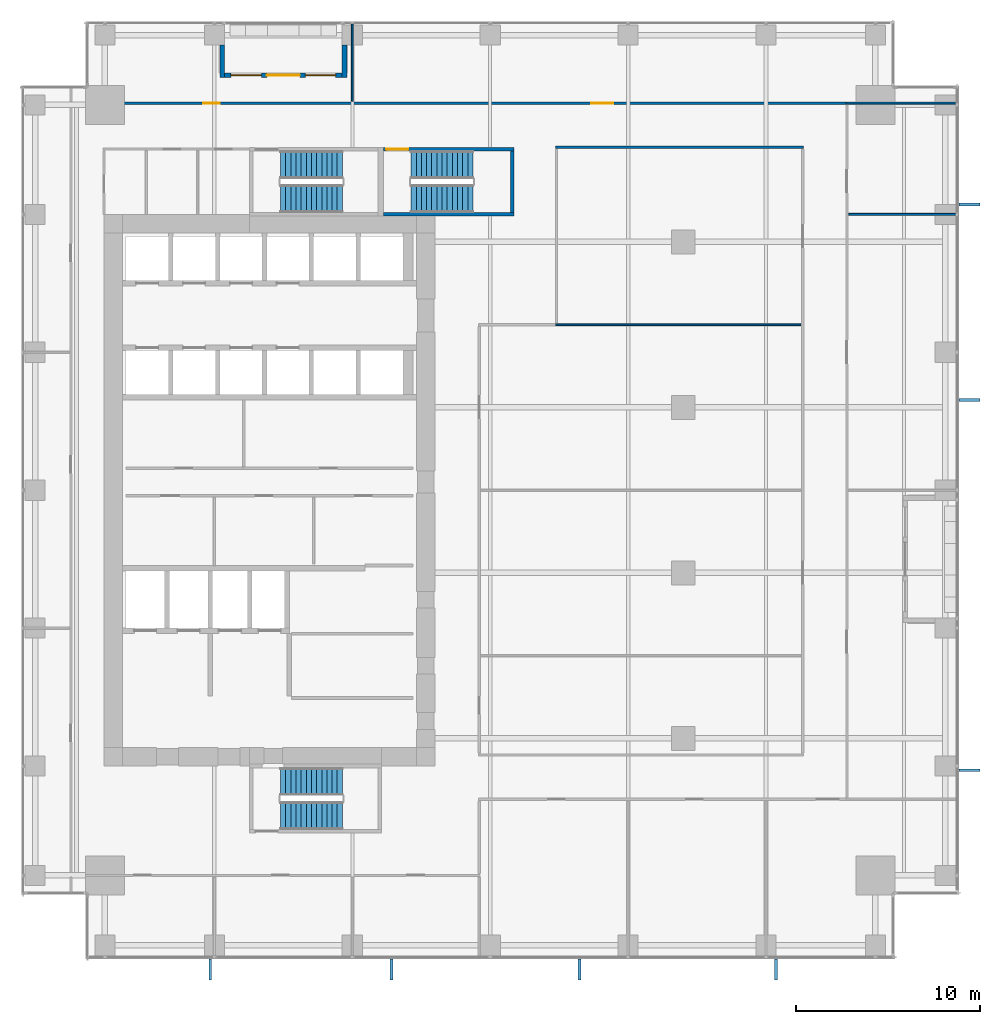
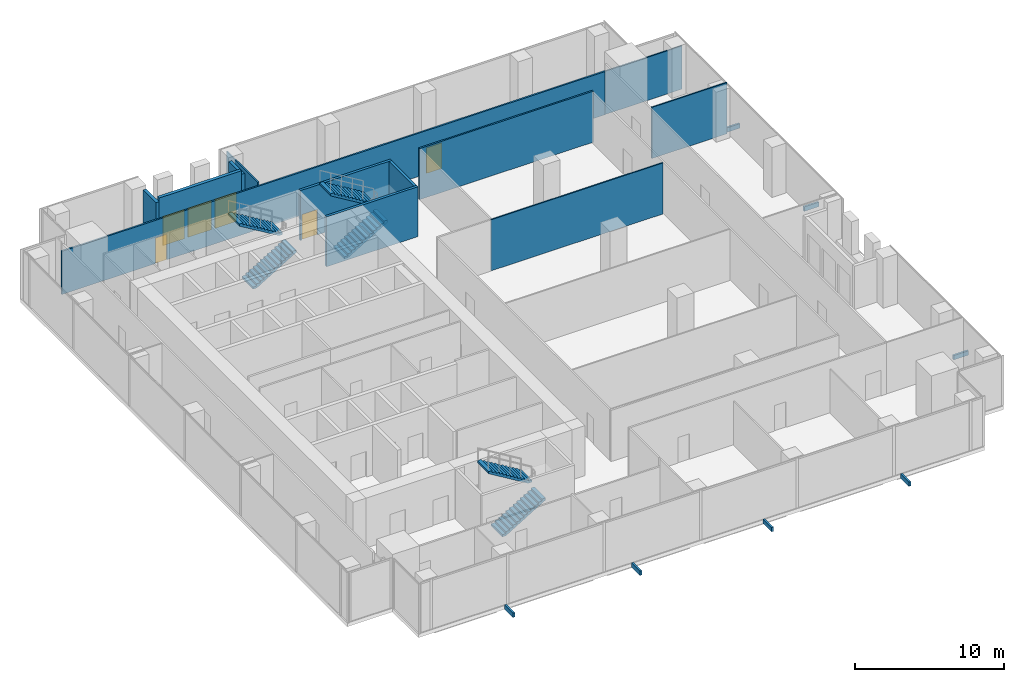
# One storey, part 31 of 34: 12 walls, 7 discrete accessories, 6 stair flights, 4 doors, 2 windows, 6 openings, 3 elements without a shape of their own.
"""IFC4 building model written with IfcOpenShell, lengths in metres."""

import ifcopenshell
import ifcopenshell.guid

model = None  # the IFC model being written
_history = None  # IfcOwnerHistory: only IFC2X3 demands one
_inside = {}  # id of a spatial element -> (the spatial element, [elements in it])
_under = {}  # id of a project, library or spatial element -> (it, [spatial elements below it])
_declared = {}  # id of a project -> (the project, [libraries it declares])
_typed = {}  # id of a type object -> (the type object, [elements of that type])
_made_of = {}  # id of a material, layer set ... -> (it, [elements and type objects made of it])


def new_model(schema):
    """Start an empty IFC model of exactly this schema.

    Asked for "IFC4X3", IfcOpenShell would pick the latest addendum, in which some entities
    have other attributes; the version numbers below select the first issue.
    IFC2X3 requires an IfcOwnerHistory on every rooted entity: one is made here for all.
    """
    global model, _history
    if schema == "IFC4X3":
        model = ifcopenshell.file(schema_version=(4, 3, 0, 0))
    else:
        model = ifcopenshell.file(schema=schema)
    _inside.clear()
    _under.clear()
    _declared.clear()
    _typed.clear()
    _made_of.clear()
    _history = None
    if model.schema == "IFC2X3":
        org = make("IfcOrganization", Name="unknown")
        user = make(
            "IfcPersonAndOrganization",
            ThePerson=make("IfcPerson", FamilyName="unknown"),
            TheOrganization=org,
        )
        app = make(
            "IfcApplication",
            ApplicationDeveloper=org,
            Version="unknown",
            ApplicationFullName="unknown",
            ApplicationIdentifier="unknown",
        )
        _history = make(
            "IfcOwnerHistory",
            OwningUser=user,
            OwningApplication=app,
            ChangeAction="ADDED",
            CreationDate=0,
        )
    return model


def make(cls, **values):
    """One entity of the class cls with the attributes given. An attribute that is None is left unset."""
    return model.create_entity(
        cls, **{name: value for name, value in values.items() if value is not None}
    )


def rooted(cls, **values):
    """An entity with a GlobalId (a new one), such as an element, a storey or a relation."""
    return make(cls, GlobalId=ifcopenshell.guid.new(), OwnerHistory=_history, **values)


def si_unit(unit_type, name, prefix=None):
    """IfcSIUnit, for example si_unit("LENGTHUNIT", "METRE", prefix="MILLI")."""
    return make("IfcSIUnit", UnitType=unit_type, Prefix=prefix, Name=name)


def assignment(units):
    """IfcUnitAssignment: the units of a project."""
    return None if units is None else make("IfcUnitAssignment", Units=units)


def point(xyz):
    """IfcCartesianPoint."""
    return None if xyz is None else make("IfcCartesianPoint", Coordinates=xyz)


def direction(xyz):
    """IfcDirection."""
    return None if xyz is None else make("IfcDirection", DirectionRatios=xyz)


def frame(location, z_axis=None, x_axis=None):
    """IfcAxis2Placement3D, a coordinate frame: its origin and axes. An axis left out is left unset."""
    return make(
        "IfcAxis2Placement3D",
        Location=point(location),
        Axis=direction(z_axis),
        RefDirection=direction(x_axis),
    )


def frame_2d(location, x_axis=None):
    """IfcAxis2Placement2D, a coordinate frame in the plane: its origin and x axis."""
    return make(
        "IfcAxis2Placement2D", Location=point(location), RefDirection=direction(x_axis)
    )


def origin():
    """The frame at (0, 0, 0) with its axes left unset."""
    return frame((0.0, 0.0, 0.0))


def origin_2d():
    """The frame at (0, 0) in the plane with its x axis left unset."""
    return frame_2d((0.0, 0.0))


def place(relative_to, where):
    """IfcLocalPlacement: puts the frame where relative to a parent placement (None: the world)."""
    return make(
        "IfcLocalPlacement", PlacementRelTo=relative_to, RelativePlacement=where
    )


def context(
    kind, dimensions, precision=None, world=None, true_north=None, identifier=None
):
    """IfcGeometricRepresentationContext, for example the 3D "Model" context."""
    return make(
        "IfcGeometricRepresentationContext",
        ContextIdentifier=identifier,
        ContextType=kind,
        CoordinateSpaceDimension=dimensions,
        Precision=precision,
        WorldCoordinateSystem=world,
        TrueNorth=true_north,
    )


def subcontext(parent, identifier, kind, view, scale=None):
    """IfcGeometricRepresentationSubContext, for example "Body" below "Model"."""
    return make(
        "IfcGeometricRepresentationSubContext",
        ContextIdentifier=identifier,
        ContextType=kind,
        ParentContext=parent,
        TargetScale=scale,
        TargetView=view,
    )


def project(units=None, contexts=None):
    """IfcProject with its units and contexts."""
    return rooted(
        "IfcProject",
        Name="project",
        RepresentationContexts=contexts,
        UnitsInContext=assignment(units),
    )


def spatial(cls, under=None, at=None, **own):
    """A site, building, storey or space (cls), placed at a placement, below another one or the project."""
    s = rooted(cls, ObjectPlacement=at, **own)
    if under is not None:
        _under.setdefault(under.id(), (under, []))[1].append(s)
    return s


def polyline(points):
    """IfcPolyline through the points."""
    return make("IfcPolyline", Points=[point(p) for p in points])


def profile(cls, at=None, kind="AREA", **sizes):
    """A parametric profile (cls). Its sizes go by their IFC names, for example OverallWidth=200.0."""
    return make(cls, ProfileType=kind, Position=at, **sizes)


def rectangle(**sizes):
    """IfcRectangleProfileDef."""
    return profile("IfcRectangleProfileDef", **sizes)


def outline(outer, holes=None, kind="AREA"):
    """IfcArbitraryClosedProfileDef: a profile drawn as a closed curve; with holes, ...WithVoids."""
    if holes is None:
        return make("IfcArbitraryClosedProfileDef", ProfileType=kind, OuterCurve=outer)
    return make(
        "IfcArbitraryProfileDefWithVoids",
        ProfileType=kind,
        OuterCurve=outer,
        InnerCurves=holes,
    )


def extrude(swept, where, along, depth):
    """IfcExtrudedAreaSolid: the profile swept, set in the frame where, extruded along a direction by depth."""
    return make(
        "IfcExtrudedAreaSolid",
        SweptArea=swept,
        Position=where,
        ExtrudedDirection=direction(along),
        Depth=depth,
    )


def shape(context_of_items, identifier, shape_type, items):
    """IfcShapeRepresentation: the items that make up one representation, for example the "Body"."""
    return make(
        "IfcShapeRepresentation",
        ContextOfItems=context_of_items,
        RepresentationIdentifier=identifier,
        RepresentationType=shape_type,
        Items=items,
    )


def source(mapping_origin, context_of_items, identifier, shape_type, items):
    """IfcRepresentationMap: a shape defined once, which mapped items show again and again."""
    return make(
        "IfcRepresentationMap",
        MappingOrigin=mapping_origin,
        MappedRepresentation=shape(context_of_items, identifier, shape_type, items),
    )


def transform(
    local_origin,
    x_axis=None,
    y_axis=None,
    z_axis=None,
    scale=None,
    scale2=None,
    scale3=None,
    uniform=True,
):
    """IfcCartesianTransformationOperator3D, or its non-uniform kind. x_axis, y_axis, z_axis: its Axis1, 2, 3."""
    if uniform:
        return make(
            "IfcCartesianTransformationOperator3D",
            Axis1=direction(x_axis),
            Axis2=direction(y_axis),
            LocalOrigin=point(local_origin),
            Scale=scale,
            Axis3=direction(z_axis),
        )
    return make(
        "IfcCartesianTransformationOperator3DnonUniform",
        Axis1=direction(x_axis),
        Axis2=direction(y_axis),
        LocalOrigin=point(local_origin),
        Scale=scale,
        Axis3=direction(z_axis),
        Scale2=scale2,
        Scale3=scale3,
    )


def mapped(mapping_source, mapping_target):
    """IfcMappedItem: shows the shape of a source again, moved by a transform."""
    return make(
        "IfcMappedItem", MappingSource=mapping_source, MappingTarget=mapping_target
    )


def material(Name=None, Category=None):
    """IfcMaterial."""
    return make("IfcMaterial", Name=Name, Category=Category)


def layer(
    of_material, thickness, ventilated=None, Name=None, Category=None, Priority=None
):
    """IfcMaterialLayer: one layer of a wall or slab, of a material (None: an air gap)."""
    return make(
        "IfcMaterialLayer",
        Material=of_material,
        LayerThickness=thickness,
        IsVentilated=ventilated,
        Name=Name,
        Category=Category,
        Priority=Priority,
    )


def layer_set(layers, Name=None):
    """IfcMaterialLayerSet."""
    return make("IfcMaterialLayerSet", MaterialLayers=layers, LayerSetName=Name)


def made_of(thing, what):
    """Note that an element or type object is made of a material, layer set ...; save() writes the relation."""
    if what is not None:
        _made_of.setdefault(what.id(), (what, []))[1].append(thing)
    return thing


def type_object(cls, material=None, **own):
    """A type object (cls), such as IfcWallType, which elements share."""
    return made_of(rooted(cls, **own), material)


def element(
    cls,
    number,
    at=None,
    inside=None,
    cuts=None,
    type_object=None,
    material=None,
    context=None,
    identifier="Body",
    shape_type=None,
    held_by="IfcProductDefinitionShape",
    body=None,
    shapes=None,
    **own,
):
    """One element of the class cls, such as IfcWall. Its Tag is "e" and its number.

    at: its placement. inside: the storey or other place that contains it. cuts: it is an
    opening in that element (IfcRelVoidsElement). A single representation is given by context,
    identifier, shape_type and body (its items); several are given by shapes. held_by: the class
    of the entity that holds the representations. save() writes the other relations.
    """
    e = rooted(cls, Tag="e%d" % number, ObjectPlacement=at, **own)
    if body is not None:
        shapes = [shape(context, identifier, shape_type, body)]
    if shapes is not None:
        e.Representation = make(held_by, Representations=shapes)
    if inside is not None:
        _inside.setdefault(inside.id(), (inside, []))[1].append(e)
    if cuts is not None:
        rooted(
            "IfcRelVoidsElement", RelatingBuildingElement=cuts, RelatedOpeningElement=e
        )
    if type_object is not None:
        _typed.setdefault(type_object.id(), (type_object, []))[1].append(e)
    return made_of(e, material)


def fill(opening, filler):
    """IfcRelFillsElement: the door or window that sits in an opening."""
    return rooted(
        "IfcRelFillsElement",
        RelatingOpeningElement=opening,
        RelatedBuildingElement=filler,
    )


def aggregate(whole, parts):
    """IfcRelAggregates: a whole, such as a stair, and the parts it consists of."""
    return rooted("IfcRelAggregates", RelatingObject=whole, RelatedObjects=parts)


def save(model, path):
    """Write the relations noted so far, then the file.

    IfcRelAggregates (storeys below a building ...), IfcRelContainedInSpatialStructure (elements
    in a storey), IfcRelDefinesByType, IfcRelAssociatesMaterial and IfcRelDeclares: one each for
    every whole, place, type object, material and project.
    """
    for whole, parts in _under.values():
        aggregate(whole, parts)
    for where, things in _inside.values():
        rooted(
            "IfcRelContainedInSpatialStructure",
            RelatedElements=things,
            RelatingStructure=where,
        )
    for kind, things in _typed.values():
        rooted("IfcRelDefinesByType", RelatedObjects=things, RelatingType=kind)
    for what, things in _made_of.values():
        rooted("IfcRelAssociatesMaterial", RelatedObjects=things, RelatingMaterial=what)
    for by, libraries in _declared.values():
        rooted("IfcRelDeclares", RelatingContext=by, RelatedDefinitions=libraries)
    model.write(path)


model = new_model("IFC4")

# Units and contexts
model_context = context("Model", 3, precision=1e-05, world=origin(), true_north=direction((0.0, 1.0)))
body_context = subcontext(model_context, "Body", "Model", "MODEL_VIEW")
ifc_project = project(units=[si_unit("LENGTHUNIT", "METRE"), si_unit("AREAUNIT", "SQUARE_METRE"), si_unit("VOLUMEUNIT", "CUBIC_METRE"), si_unit("PLANEANGLEUNIT", "RADIAN"), si_unit("MASSUNIT", "GRAM", prefix="KILO")], contexts=[model_context])

# Site, building, storey
site_placement = place(None, origin())
site = spatial("IfcSite", under=ifc_project, at=site_placement, CompositionType="ELEMENT")
building_placement = place(site_placement, origin())
building = spatial("IfcBuilding", under=site, at=building_placement, Name="Khomas Fold Tower", CompositionType="ELEMENT")
storey_placement = place(building_placement, frame((0.0, 0.0, 105.89990234375)))
storey = spatial("IfcBuildingStorey", under=building, at=storey_placement, Name="L22", CompositionType="ELEMENT", Elevation=105.89990234375)

# Wall, opening, door
ifc_material_1 = material(Name="Concrete C50/60", Category="concrete")
ifc_layer_1 = layer(ifc_material_1, 0.199951171875)
ifc_layer_set_1 = layer_set([ifc_layer_1], Name="Concrete C50/60")
wall_type_1 = type_object("IfcWallType", Name="Stair wall 200", PredefinedType="SHEAR", material=ifc_layer_set_1)
shared_shape_1 = source(origin(), body_context, "Body", "SweptSolid", [
    extrude(rectangle(XDim=7.10009765625, YDim=0.199951171875, at=frame_2d((3.550048828125, 0.0))), origin(), (0.0, 0.0, 1.0), 4.10009765625),
])
wall_1_placement = place(storey_placement, frame((21.199951171875, 45.550048828125, 0.0), z_axis=(0.0, 0.0, 1.0), x_axis=(1.0, 0.0, 0.0)))
wall_1 = element("IfcWall", 1, at=wall_1_placement, inside=storey, type_object=wall_type_1, Name="Stair wall SW-ST3-N", PredefinedType="SHEAR", context=body_context, shape_type="MappedRepresentation", body=[
    mapped(shared_shape_1, transform((0.0, 0.0, 0.0))),
])
shared_shape_2 = source(origin(), body_context, "Body", "SweptSolid", [
    extrude(rectangle(XDim=1.199951171875, YDim=2.10009765625, at=frame_2d((0.60009765625, 1.050048828125))), frame((0.0, 0.10986328125, 0.0), z_axis=(0.0, -1.0, 0.0), x_axis=(1.0, 0.0, 0.0)), (0.0, 0.0, 1.0), 0.219970703125),
])
opening_1_placement = place(wall_1_placement, frame((0.14990234375, 0.0, 0.0)))
opening_1 = element("IfcOpeningElement", 2, at=opening_1_placement, cuts=wall_1, Name="Opening SD-ST3", PredefinedType="OPENING", context=body_context, shape_type="MappedRepresentation", body=[
    mapped(shared_shape_2, transform((0.0, 0.0, 0.0))),
])
ifc_material_2 = material(Name="Steel door leaf", Category="steel")
door_type_1 = type_object("IfcDoorType", Name="Stair door 1200x2100 left-hand", OperationType="SINGLE_SWING_LEFT", PredefinedType="DOOR", material=ifc_material_2)
shared_shape_3 = source(origin(), body_context, "Body", "SweptSolid", [
    extrude(rectangle(XDim=1.199951171875, YDim=2.10009765625, at=frame_2d((0.60009765625, 1.050048828125))), frame((0.0, 0.02490234375, 0.0), z_axis=(0.0, -1.0, 0.0), x_axis=(1.0, 0.0, 0.0)), (0.0, 0.0, 1.0), 0.050048828125),
])
door_1_placement = place(opening_1_placement, origin())
door_1 = element("IfcDoor", 3, at=door_1_placement, inside=storey, type_object=door_type_1, Name="Stair door", OperationType="SINGLE_SWING_LEFT", OverallHeight=2.10009765625, OverallWidth=1.199951171875, PredefinedType="DOOR", context=body_context, shape_type="MappedRepresentation", body=[
    mapped(shared_shape_3, transform((0.0, 0.0, 0.0))),
])
fill(opening_1, door_1)

# Walls
wall_2_placement = place(storey_placement, frame((21.199951171875, 42.0, 0.0), z_axis=(0.0, 0.0, 1.0), x_axis=(1.0, 0.0, 0.0)))
element("IfcWall", 4, at=wall_2_placement, inside=storey, type_object=wall_type_1, Name="Stair wall SW-ST3-S", PredefinedType="SHEAR", context=body_context, shape_type="MappedRepresentation", body=[
    mapped(shared_shape_1, transform((0.0, 0.0, 0.0))),
])
shared_shape_4 = source(origin(), body_context, "Body", "SweptSolid", [
    extrude(rectangle(XDim=3.349853515625, YDim=0.199951171875, at=frame_2d((1.6748046875, 0.0))), origin(), (0.0, 0.0, 1.0), 4.10009765625),
])
wall_3_placement = place(storey_placement, frame((28.199951171875, 42.10009765625, 0.0), z_axis=(0.0, 0.0, 1.0), x_axis=(0.0, 1.0, 0.0)))
element("IfcWall", 5, at=wall_3_placement, inside=storey, type_object=wall_type_1, Name="Stair wall SW-ST3-E", PredefinedType="SHEAR", context=body_context, shape_type="MappedRepresentation", body=[
    mapped(shared_shape_4, transform((0.0, 0.0, 0.0))),
])

# Wall, openings, door, windows
ifc_material_3 = material(Name="Natural stone", Category="masonry")
ifc_layer_2 = layer(ifc_material_3, 0.0400390625)
ifc_material_4 = material(Name="Mineral wool insulation", Category="insulation")
ifc_layer_3 = layer(ifc_material_4, 0.10009765625)
ifc_material_5 = material(Name="Masonry", Category="masonry")
ifc_layer_4 = layer(ifc_material_5, 0.110107421875)
ifc_layer_set_2 = layer_set([ifc_layer_2, ifc_layer_3, ifc_layer_4], Name="Stone-faced insulated masonry")
wall_type_2 = type_object("IfcWallType", Name="BL-Balcony wall", PredefinedType="SOLIDWALL", material=ifc_layer_set_2)
shared_shape_5 = source(origin(), body_context, "Body", "SweptSolid", [
    extrude(rectangle(XDim=6.39990234375, YDim=0.25, at=frame_2d((3.199951171875, 0.0))), origin(), (0.0, 0.0, 1.0), 4.10009765625),
])
wall_4_placement = place(storey_placement, frame((12.550048828125, 49.574951171875, 0.0), z_axis=(0.0, 0.0, 1.0), x_axis=(1.0, 0.0, 0.0)))
wall_4 = element("IfcWall", 6, at=wall_4_placement, inside=storey, type_object=wall_type_2, Name="Balcony wall BAL-L22-N1", PredefinedType="SOLIDWALL", context=body_context, shape_type="MappedRepresentation", body=[
    mapped(shared_shape_5, transform((0.0, 0.0, 0.0))),
])
shared_shape_6 = source(origin(), body_context, "Body", "SweptSolid", [
    extrude(rectangle(XDim=1.64990234375, YDim=2.39990234375, at=frame_2d((0.824951171875, 1.199951171875))), frame((0.0, 0.135009765625, 0.0), z_axis=(0.0, -1.0, 0.0), x_axis=(1.0, 0.0, 0.0)), (0.0, 0.0, 1.0), 0.27001953125),
])
opening_2_placement = place(wall_4_placement, frame((0.35009765625, 0.0, 0.0)))
opening_2 = element("IfcOpeningElement", 7, at=opening_2_placement, cuts=wall_4, Name="Opening BL-W2", PredefinedType="OPENING", context=body_context, shape_type="MappedRepresentation", body=[
    mapped(shared_shape_6, transform((0.0, 0.0, 0.0))),
])
opening_3_placement = place(wall_4_placement, frame((4.39990234375, 0.0, 0.0)))
opening_3 = element("IfcOpeningElement", 8, at=opening_3_placement, cuts=wall_4, Name="Opening BL-W2", PredefinedType="OPENING", context=body_context, shape_type="MappedRepresentation", body=[
    mapped(shared_shape_6, transform((0.0, 0.0, 0.0))),
])
shared_shape_7 = source(origin(), body_context, "Body", "SweptSolid", [
    extrude(rectangle(XDim=1.800048828125, YDim=2.39990234375, at=frame_2d((0.89990234375, 1.199951171875))), frame((0.0, 0.135009765625, 0.0), z_axis=(0.0, -1.0, 0.0), x_axis=(1.0, 0.0, 0.0)), (0.0, 0.0, 1.0), 0.27001953125),
])
opening_4_placement = place(wall_4_placement, frame((2.300048828125, 0.0, 0.0)))
opening_4 = element("IfcOpeningElement", 9, at=opening_4_placement, cuts=wall_4, Name="Opening BD221", PredefinedType="OPENING", context=body_context, shape_type="MappedRepresentation", body=[
    mapped(shared_shape_7, transform((0.0, 0.0, 0.0))),
])
ifc_material_6 = material(Name="Aluminium framed double glazing", Category="aluminium")
door_type_2 = type_object("IfcDoorType", Name="BL-Glazed balcony door 1800 x 2400", OperationType="DOUBLE_DOOR_DOUBLE_SWING", PredefinedType="DOOR", material=ifc_material_6)
shared_shape_8 = source(origin(), body_context, "Body", "SweptSolid", [
    extrude(rectangle(XDim=1.800048828125, YDim=2.39990234375, at=frame_2d((0.89990234375, 1.199951171875))), frame((0.0, 0.02490234375, 0.0), z_axis=(0.0, -1.0, 0.0), x_axis=(1.0, 0.0, 0.0)), (0.0, 0.0, 1.0), 0.050048828125),
])
door_2_placement = place(opening_4_placement, origin())
door_2 = element("IfcDoor", 10, at=door_2_placement, inside=storey, type_object=door_type_2, Name="Balcony door BD221", OperationType="DOUBLE_DOOR_DOUBLE_SWING", OverallHeight=2.39990234375, OverallWidth=1.800048828125, PredefinedType="DOOR", context=body_context, shape_type="MappedRepresentation", body=[
    mapped(shared_shape_8, transform((0.0, 0.0, 0.0))),
])
fill(opening_4, door_2)
ifc_material_7 = material(Name="Aluminium framed double glazing", Category="aluminium")
window_type = type_object("IfcWindowType", Name="BL-Fixed glazing 1650 x 2400", PartitioningType="SINGLE_PANEL", PredefinedType="WINDOW", material=ifc_material_7)
shared_shape_9 = source(origin(), body_context, "Body", "SweptSolid", [
    extrude(rectangle(XDim=1.64990234375, YDim=2.39990234375, at=frame_2d((0.824951171875, 1.199951171875))), frame((0.0, 0.030029296875, 0.0), z_axis=(0.0, -1.0, 0.0), x_axis=(1.0, 0.0, 0.0)), (0.0, 0.0, 1.0), 0.06005859375),
])
window_1_placement = place(opening_2_placement, origin())
window_1 = element("IfcWindow", 11, at=window_1_placement, inside=storey, type_object=window_type, Name="Balcony glazing BAL-L22-N1-1", OverallHeight=2.39990234375, OverallWidth=1.64990234375, PartitioningType="SINGLE_PANEL", PredefinedType="WINDOW", context=body_context, shape_type="MappedRepresentation", body=[
    mapped(shared_shape_9, transform((0.0, 0.0, 0.0))),
])
fill(opening_2, window_1)
window_2_placement = place(opening_3_placement, origin())
window_2 = element("IfcWindow", 12, at=window_2_placement, inside=storey, type_object=window_type, Name="Balcony glazing BAL-L22-N1-2", OverallHeight=2.39990234375, OverallWidth=1.64990234375, PartitioningType="SINGLE_PANEL", PredefinedType="WINDOW", context=body_context, shape_type="MappedRepresentation", body=[
    mapped(shared_shape_9, transform((0.0, 0.0, 0.0))),
])
fill(opening_3, window_2)

# Walls
shared_shape_10 = source(origin(), body_context, "Body", "SweptSolid", [
    extrude(rectangle(XDim=1.75, YDim=0.25, at=frame_2d((0.875, 0.0))), origin(), (0.0, 0.0, 1.0), 3.800048828125),
])
for number, where, z_axis, x_axis, name in (
    (13, (12.425048828125, 51.199951171875, 0.0), (0.0, 0.0, 1.0), (0.0, -1.0, 0.0), "Balcony return wall BAL-L22-N1-lo"),
    (14, (19.074951171875, 51.199951171875, 0.0), (0.0, 0.0, 1.0), (0.0, -1.0, 0.0), "Balcony return wall BAL-L22-N1-hi"),
):
    element("IfcWall", number, at=place(storey_placement, frame(where, z_axis=z_axis, x_axis=x_axis)), inside=storey, type_object=wall_type_2, Name=name, PredefinedType="SOLIDWALL", context=body_context, shape_type="MappedRepresentation", body=[
        mapped(shared_shape_10, transform((0.0, 0.0, 0.0))),
    ])

# Wall, openings, doors
ifc_material_8 = material(Name="Plasterboard partition")
ifc_layer_5 = layer(ifc_material_8, 0.125)
ifc_layer_set_3 = layer_set([ifc_layer_5], Name="Plasterboard partition")
wall_type_3 = type_object("IfcWallType", Name="Partition PW2 125", PredefinedType="PARTITIONING", material=ifc_layer_set_3)
shared_shape_11 = source(origin(), body_context, "Body", "SweptSolid", [
    extrude(rectangle(XDim=42.2001953125, YDim=0.125, at=frame_2d((21.10009765625, 0.0))), origin(), (0.0, 0.0, 1.0), 3.550048828125),
])
wall_5_placement = place(storey_placement, frame((4.14990234375, 48.050048828125, 0.0), z_axis=(0.0, 0.0, 1.0), x_axis=(1.0, 0.0, 0.0)))
wall_5 = element("IfcWall", 15, at=wall_5_placement, inside=storey, type_object=wall_type_3, Name="Partition", PredefinedType="PARTITIONING", context=body_context, shape_type="MappedRepresentation", body=[
    mapped(shared_shape_11, transform((0.0, 0.0, 0.0))),
])
shared_shape_12 = source(origin(), body_context, "Body", "SweptSolid", [
    extrude(rectangle(XDim=0.89990234375, YDim=2.10009765625, at=frame_2d((0.449951171875, 1.050048828125))), frame((0.0, 0.072509765625, 0.0), z_axis=(0.0, -1.0, 0.0), x_axis=(1.0, 0.0, 0.0)), (0.0, 0.0, 1.0), 0.14501953125),
])
opening_5_placement = place(wall_5_placement, frame((7.25, 0.0, 0.0)))
opening_5 = element("IfcOpeningElement", 16, at=opening_5_placement, cuts=wall_5, Name="Opening 0007", PredefinedType="OPENING", context=body_context, shape_type="MappedRepresentation", body=[
    mapped(shared_shape_12, transform((0.0, 0.0, 0.0))),
])
shared_shape_13 = source(origin(), body_context, "Body", "SweptSolid", [
    extrude(rectangle(XDim=1.199951171875, YDim=2.10009765625, at=frame_2d((0.60009765625, 1.050048828125))), frame((0.0, 0.072509765625, 0.0), z_axis=(0.0, -1.0, 0.0), x_axis=(1.0, 0.0, 0.0)), (0.0, 0.0, 1.0), 0.14501953125),
])
opening_6_placement = place(wall_5_placement, frame((28.35009765625, 0.0, 0.0)))
opening_6 = element("IfcOpeningElement", 17, at=opening_6_placement, cuts=wall_5, Name="Opening 0013", PredefinedType="OPENING", context=body_context, shape_type="MappedRepresentation", body=[
    mapped(shared_shape_13, transform((0.0, 0.0, 0.0))),
])
ifc_material_9 = material(Name="Timber door leaf", Category="wood")
door_type_3 = type_object("IfcDoorType", Name="Door 900x2100 left-hand", OperationType="SINGLE_SWING_LEFT", PredefinedType="DOOR", material=ifc_material_9)
shared_shape_14 = source(origin(), body_context, "Body", "SweptSolid", [
    extrude(rectangle(XDim=0.89990234375, YDim=2.10009765625, at=frame_2d((0.449951171875, 1.050048828125))), frame((0.0, 0.02490234375, 0.0), z_axis=(0.0, -1.0, 0.0), x_axis=(1.0, 0.0, 0.0)), (0.0, 0.0, 1.0), 0.050048828125),
])
door_3_placement = place(opening_5_placement, origin())
door_3 = element("IfcDoor", 18, at=door_3_placement, inside=storey, type_object=door_type_3, Name="Door", OperationType="SINGLE_SWING_LEFT", OverallHeight=2.10009765625, OverallWidth=0.89990234375, PredefinedType="DOOR", context=body_context, shape_type="MappedRepresentation", body=[
    mapped(shared_shape_14, transform((0.0, 0.0, 0.0))),
])
fill(opening_5, door_3)
ifc_material_10 = material(Name="Timber door leaf", Category="wood")
door_type_4 = type_object("IfcDoorType", Name="Door 1200x2100 left-hand", OperationType="SINGLE_SWING_LEFT", PredefinedType="DOOR", material=ifc_material_10)
door_4_placement = place(opening_6_placement, origin())
door_4 = element("IfcDoor", 19, at=door_4_placement, inside=storey, type_object=door_type_4, Name="Door", OperationType="SINGLE_SWING_LEFT", OverallHeight=2.10009765625, OverallWidth=1.199951171875, PredefinedType="DOOR", context=body_context, shape_type="MappedRepresentation", body=[
    mapped(shared_shape_3, transform((0.0, 0.0, 0.0))),
])
fill(opening_6, door_4)

# Walls
ifc_material_11 = material(Name="Plasterboard partition")
ifc_layer_6 = layer(ifc_material_11, 0.10009765625)
ifc_layer_set_4 = layer_set([ifc_layer_6], Name="Plasterboard partition")
wall_type_4 = type_object("IfcWallType", Name="Partition PW1 100", PredefinedType="PARTITIONING", material=ifc_layer_set_4)
shared_shape_15 = source(origin(), body_context, "Body", "SweptSolid", [
    extrude(rectangle(XDim=6.0, YDim=0.10009765625, at=frame_2d((3.0, 0.0))), origin(), (0.0, 0.0, 1.0), 3.550048828125),
])
wall_6_placement = place(storey_placement, frame((46.35009765625, 48.050048828125, 0.0), z_axis=(0.0, 0.0, 1.0), x_axis=(1.0, 0.0, 0.0)))
element("IfcWall", 20, at=wall_6_placement, inside=storey, type_object=wall_type_4, Name="Partition", PredefinedType="PARTITIONING", context=body_context, shape_type="MappedRepresentation", body=[
    mapped(shared_shape_15, transform((0.0, 0.0, 0.0))),
])
shared_shape_16 = source(origin(), body_context, "Body", "SweptSolid", [
    extrude(rectangle(XDim=4.2001953125, YDim=0.10009765625, at=frame_2d((2.10009765625, 0.0))), origin(), (0.0, 0.0, 1.0), 3.77001953125),
])
wall_7_placement = place(storey_placement, frame((19.5, 48.14990234375, 0.0), z_axis=(0.0, 0.0, 1.0), x_axis=(0.0, 1.0, 0.0)))
element("IfcWall", 21, at=wall_7_placement, inside=storey, type_object=wall_type_4, Name="Partition", PredefinedType="PARTITIONING", context=body_context, shape_type="MappedRepresentation", body=[
    mapped(shared_shape_16, transform((0.0, 0.0, 0.0))),
])
shared_shape_17 = source(origin(), body_context, "Body", "SweptSolid", [
    extrude(rectangle(XDim=5.85009765625, YDim=0.10009765625, at=frame_2d((2.925048828125, 0.0))), origin(), (0.0, 0.0, 1.0), 4.2001953125),
])
wall_8_placement = place(storey_placement, frame((46.5, 42.0, 0.0), z_axis=(0.0, 0.0, 1.0), x_axis=(1.0, 0.0, 0.0)))
element("IfcWall", 22, at=wall_8_placement, inside=storey, type_object=wall_type_4, Name="Partition", PredefinedType="PARTITIONING", context=body_context, shape_type="MappedRepresentation", body=[
    mapped(shared_shape_17, transform((0.0, 0.0, 0.0))),
])
shared_shape_18 = source(origin(), body_context, "Body", "SweptSolid", [
    extrude(rectangle(XDim=13.349853515625, YDim=0.10009765625, at=frame_2d((6.6748046875, 0.0))), origin(), (0.0, 0.0, 1.0), 4.2001953125),
])
wall_9_placement = place(storey_placement, frame((30.550048828125, 36.0, 0.0), z_axis=(0.0, 0.0, 1.0), x_axis=(1.0, 0.0, 0.0)))
element("IfcWall", 23, at=wall_9_placement, inside=storey, type_object=wall_type_4, Name="Partition", PredefinedType="PARTITIONING", context=body_context, shape_type="MappedRepresentation", body=[
    mapped(shared_shape_18, transform((0.0, 0.0, 0.0))),
])
shared_shape_19 = source(origin(), body_context, "Body", "SweptSolid", [
    extrude(rectangle(XDim=13.5, YDim=0.125, at=frame_2d((6.75, 0.0))), origin(), (0.0, 0.0, 1.0), 4.2001953125),
])
wall_10_placement = place(storey_placement, frame((30.550048828125, 45.64990234375, 0.0), z_axis=(0.0, 0.0, 1.0), x_axis=(1.0, 0.0, 0.0)))
element("IfcWall", 24, at=wall_10_placement, inside=storey, type_object=wall_type_3, Name="Partition", PredefinedType="PARTITIONING", context=body_context, shape_type="MappedRepresentation", body=[
    mapped(shared_shape_19, transform((0.0, 0.0, 0.0))),
])

# Stair, stair flights
ifc_material_12 = material(Name="Concrete C40/50", Category="concrete")
stair_type_1 = type_object("IfcStairType", Name="Stair ST1", PredefinedType="HALF_TURN_STAIR", material=ifc_material_12)
stair_1_placement = place(storey_placement, origin())
stair_1 = element("IfcStair", 25, at=stair_1_placement, inside=storey, type_object=stair_type_1, Name="L22 ST1", PredefinedType="HALF_TURN_STAIR")
ifc_material_13 = material(Name="Concrete C40/50", Category="concrete")
stair_flight_type_1 = type_object("IfcStairFlightType", Name="Stair flight 1500 ST1", PredefinedType="STRAIGHT", material=ifc_material_13)
shared_shape_20 = source(origin(), body_context, "Body", "SweptSolid", [
    extrude(outline(polyline([(0.0, 0.0), (0.0, 0.012939453125), (0.0, 0.026123046875), (0.0, 0.0390625), (0.0, 0.052001953125), (0.0, 0.065185546875), (0.0, 0.078125), (0.0, 0.091064453125), (0.0, 0.104248046875), (0.0, 0.1171875), (0.0, 0.130126953125), (0.0, 0.143310546875), (0.0, 0.15625), (0.0, 0.169189453125), (0.280029296875, 0.169189453125), (0.280029296875, 0.33837890625), (0.56005859375, 0.33837890625), (0.56005859375, 0.5078125), (0.840087890625, 0.5078125), (0.840087890625, 0.677001953125), (1.1201171875, 0.677001953125), (1.1201171875, 0.84619140625), (1.39990234375, 0.84619140625), (1.39990234375, 1.015380859375), (1.679931640625, 1.015380859375), (1.679931640625, 1.1845703125), (1.9599609375, 1.1845703125), (1.9599609375, 1.353759765625), (2.239990234375, 1.353759765625), (2.239990234375, 1.523193359375), (2.52001953125, 1.523193359375), (2.52001953125, 1.6923828125), (2.800048828125, 1.6923828125), (2.800048828125, 1.861572265625), (3.080078125, 1.861572265625), (3.080078125, 2.03076171875), (3.360107421875, 2.03076171875), (3.360107421875, 2.199951171875), (3.360107421875, 2.173583984375), (3.360107421875, 2.14697265625), (3.360107421875, 2.12060546875), (3.360107421875, 2.093994140625), (3.360107421875, 2.067626953125), (3.360107421875, 2.041015625), (3.360107421875, 2.0146484375), (3.360107421875, 1.988037109375), (3.360107421875, 1.961669921875), (3.360107421875, 1.93505859375), (3.360107421875, 1.90869140625), (3.360107421875, 1.882080078125), (3.360107421875, 1.855712890625), (0.289794921875, 0.0), (0.0, 0.0)])), frame((0.0, 0.75, 0.0), z_axis=(0.0, -1.0, 0.0), x_axis=(1.0, 0.0, 0.0)), (0.0, 0.0, 1.0), 1.5),
])
stair_flight_1_placement = place(storey_placement, frame((15.60009765625, 42.85009765625, 0.0), z_axis=(0.0, 0.0, 1.0), x_axis=(1.0, 0.0, 0.0)))
stair_flight_1 = element("IfcStairFlight", 26, at=stair_flight_1_placement, type_object=stair_flight_type_1, Name="ST1 flight 1", NumberOfRisers=13, NumberOfTreads=12, PredefinedType="STRAIGHT", RiserHeight=0.169230769, TreadLength=0.28, context=body_context, shape_type="MappedRepresentation", body=[
    mapped(shared_shape_20, transform((0.0, 0.0, 0.0))),
])
stair_flight_2_placement = place(storey_placement, frame((18.9599609375, 44.699951171875, 2.2001953125), z_axis=(0.0, 0.0, 1.0), x_axis=(-1.0, 0.0, 0.0)))
stair_flight_2 = element("IfcStairFlight", 27, at=stair_flight_2_placement, type_object=stair_flight_type_1, Name="ST1 flight 2", NumberOfRisers=13, NumberOfTreads=12, PredefinedType="STRAIGHT", RiserHeight=0.169230769, TreadLength=0.28, context=body_context, shape_type="MappedRepresentation", body=[
    mapped(shared_shape_20, transform((0.0, 0.0, 0.0))),
])
aggregate(stair_1, [stair_flight_1, stair_flight_2])

ifc_material_14 = material(Name="Concrete C40/50", Category="concrete")
stair_type_2 = type_object("IfcStairType", Name="Stair ST2", PredefinedType="HALF_TURN_STAIR", material=ifc_material_14)
stair_2_placement = place(storey_placement, origin())
stair_2 = element("IfcStair", 28, at=stair_2_placement, inside=storey, type_object=stair_type_2, Name="L22 ST2", PredefinedType="HALF_TURN_STAIR")
ifc_material_15 = material(Name="Concrete C40/50", Category="concrete")
stair_flight_type_2 = type_object("IfcStairFlightType", Name="Stair flight 1500 ST2", PredefinedType="STRAIGHT", material=ifc_material_15)
stair_flight_3_placement = place(storey_placement, frame((15.60009765625, 9.300048828125, 0.0), z_axis=(0.0, 0.0, 1.0), x_axis=(1.0, 0.0, 0.0)))
stair_flight_3 = element("IfcStairFlight", 29, at=stair_flight_3_placement, type_object=stair_flight_type_2, Name="ST2 flight 1", NumberOfRisers=13, NumberOfTreads=12, PredefinedType="STRAIGHT", RiserHeight=0.169230769, TreadLength=0.28, context=body_context, shape_type="MappedRepresentation", body=[
    mapped(shared_shape_20, transform((0.0, 0.0, 0.0))),
])
stair_flight_4_placement = place(storey_placement, frame((18.9599609375, 11.14990234375, 2.2001953125), z_axis=(0.0, 0.0, 1.0), x_axis=(-1.0, 0.0, 0.0)))
stair_flight_4 = element("IfcStairFlight", 30, at=stair_flight_4_placement, type_object=stair_flight_type_2, Name="ST2 flight 2", NumberOfRisers=13, NumberOfTreads=12, PredefinedType="STRAIGHT", RiserHeight=0.169230769, TreadLength=0.28, context=body_context, shape_type="MappedRepresentation", body=[
    mapped(shared_shape_20, transform((0.0, 0.0, 0.0))),
])
aggregate(stair_2, [stair_flight_3, stair_flight_4])

ifc_material_16 = material(Name="Concrete C40/50", Category="concrete")
stair_type_3 = type_object("IfcStairType", Name="Stair ST3", PredefinedType="HALF_TURN_STAIR", material=ifc_material_16)
stair_3_placement = place(storey_placement, origin())
stair_3 = element("IfcStair", 31, at=stair_3_placement, inside=storey, type_object=stair_type_3, Name="L22 ST3", PredefinedType="HALF_TURN_STAIR")
ifc_material_17 = material(Name="Concrete C40/50", Category="concrete")
stair_flight_type_3 = type_object("IfcStairFlightType", Name="Stair flight 1500 ST3", PredefinedType="STRAIGHT", material=ifc_material_17)
stair_flight_5_placement = place(storey_placement, frame((22.699951171875, 42.85009765625, 0.0), z_axis=(0.0, 0.0, 1.0), x_axis=(1.0, 0.0, 0.0)))
stair_flight_5 = element("IfcStairFlight", 32, at=stair_flight_5_placement, type_object=stair_flight_type_3, Name="ST3 flight 1", NumberOfRisers=13, NumberOfTreads=12, PredefinedType="STRAIGHT", RiserHeight=0.169230769, TreadLength=0.28, context=body_context, shape_type="MappedRepresentation", body=[
    mapped(shared_shape_20, transform((0.0, 0.0, 0.0))),
])
stair_flight_6_placement = place(storey_placement, frame((26.06005859375, 44.699951171875, 2.2001953125), z_axis=(0.0, 0.0, 1.0), x_axis=(-1.0, 0.0, 0.0)))
stair_flight_6 = element("IfcStairFlight", 33, at=stair_flight_6_placement, type_object=stair_flight_type_3, Name="ST3 flight 2", NumberOfRisers=13, NumberOfTreads=12, PredefinedType="STRAIGHT", RiserHeight=0.169230769, TreadLength=0.28, context=body_context, shape_type="MappedRepresentation", body=[
    mapped(shared_shape_20, transform((0.0, 0.0, 0.0))),
])
aggregate(stair_3, [stair_flight_5, stair_flight_6])

# Discrete accessories
ifc_material_18 = material(Name="Stainless steel", Category="steel")
discrete_accessory_type = type_object("IfcDiscreteAccessoryType", Name="SK-Stainless steel stone bracket", PredefinedType="BRACKET", material=ifc_material_18)
shared_shape_21 = source(origin(), body_context, "Body", "SweptSolid", [
    extrude(rectangle(XDim=1.13525390625, YDim=0.14990234375, at=origin_2d()), origin(), (0.0, 0.0, 1.0), 0.360107421875),
])
for number, where, z_axis, x_axis, name in (
    (34, (11.776123046875, 0.932373046875, -0.2998046875), (0.0, 0.0, 1.0), (0.0, -1.0, 0.0), "Stone bracket L22 SS03-1-2"),
    (35, (21.636962890625, 0.932373046875, -0.2998046875), (0.0, 0.0, 1.0), (0.0, -1.0, 0.0), "Stone bracket L22 SS06-2-2"),
    (36, (31.862548828125, 0.932373046875, -0.2998046875), (0.0, 0.0, 1.0), (0.0, -1.0, 0.0), "Stone bracket L22 SS09-3-2"),
    (37, (42.54150390625, 0.932373046875, -0.2998046875), (0.0, 0.0, 1.0), (0.0, -1.0, 0.0), "Stone bracket L22 SS12-4-2"),
    (38, (53.067626953125, 11.776123046875, -0.2998046875), (0.0, 0.0, 1.0), (1.0, 0.0, 0.0), "Stone bracket L22 ES03-1-2"),
    (39, (53.067626953125, 31.90673828125, -0.2998046875), (0.0, 0.0, 1.0), (1.0, 0.0, 0.0), "Stone bracket L22 ES09-2-2"),
    (40, (53.067626953125, 42.54150390625, -0.2998046875), (0.0, 0.0, 1.0), (1.0, 0.0, 0.0), "Stone bracket L22 ES12-3-2"),
):
    element("IfcDiscreteAccessory", number, at=place(storey_placement, frame(where, z_axis=z_axis, x_axis=x_axis)), inside=storey, type_object=discrete_accessory_type, Name=name, PredefinedType="BRACKET", context=body_context, shape_type="MappedRepresentation", body=[
        mapped(shared_shape_21, transform((0.0, 0.0, 0.0))),
    ])

save(model, "model.ifc")
